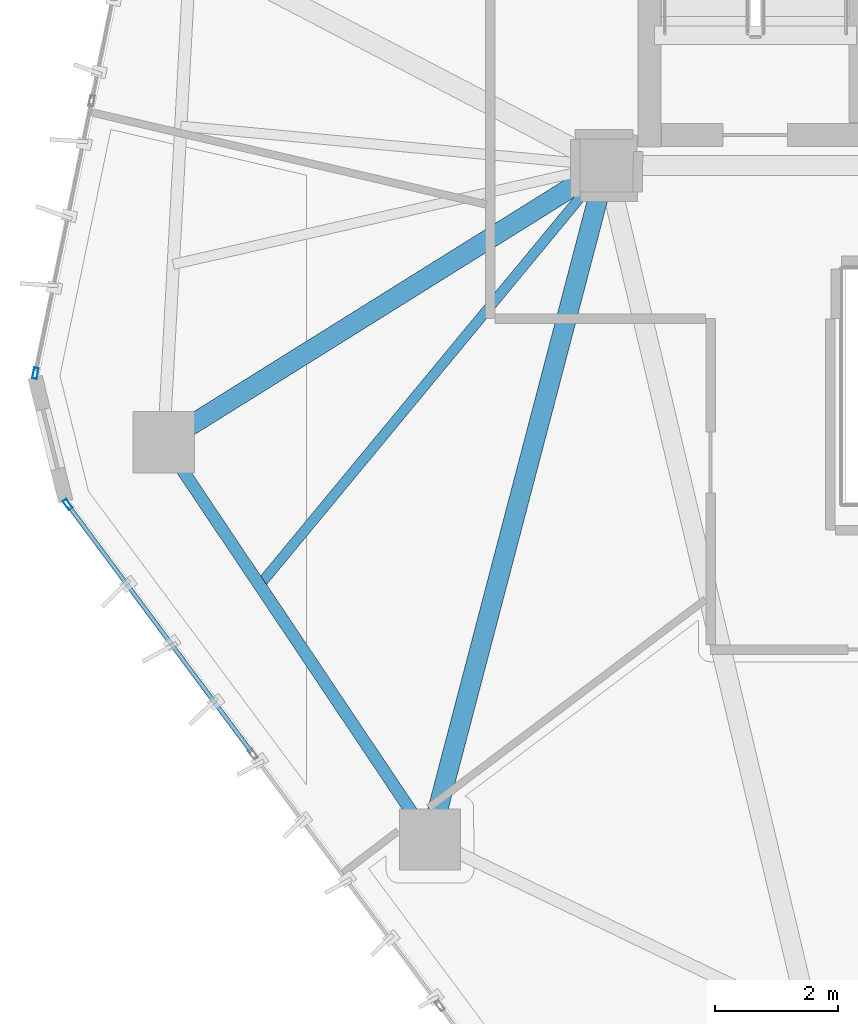
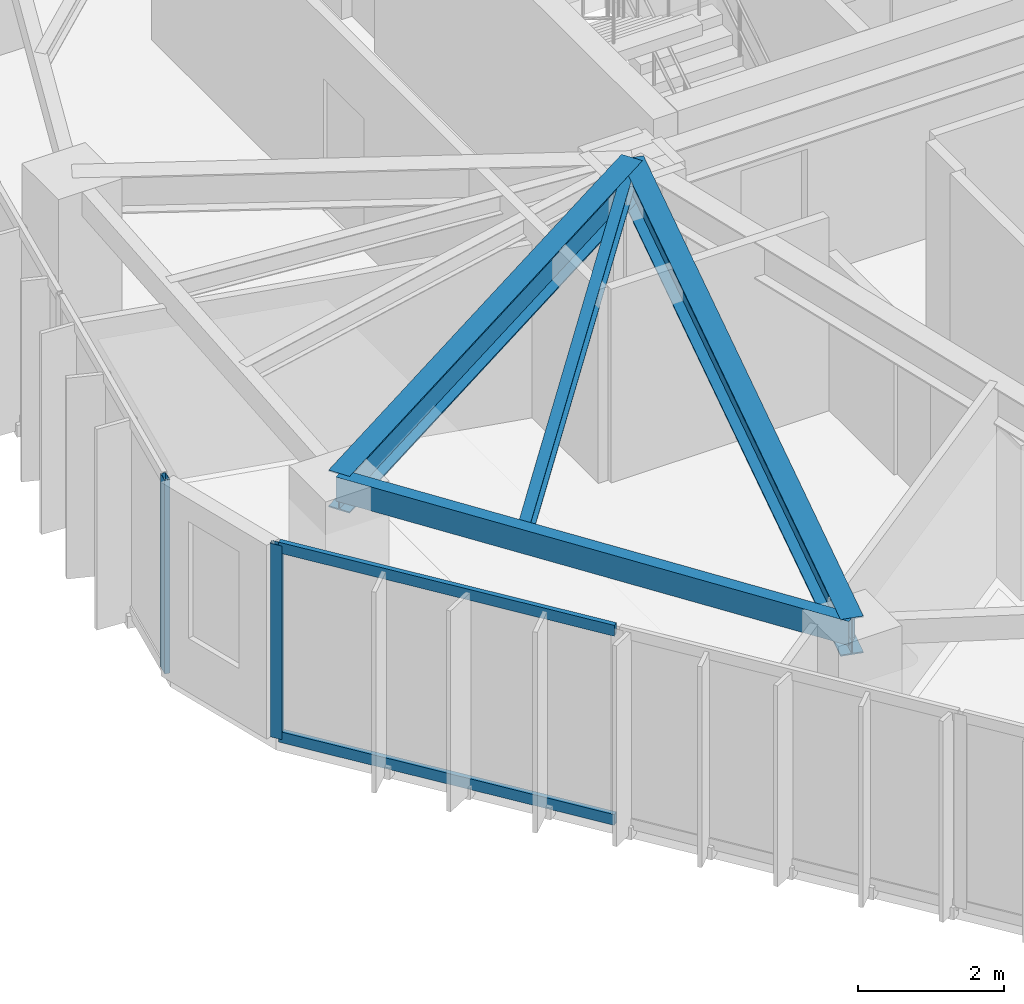
# One storey, part 3 of 20: 4 beams, 4 members, 2 elements without a shape of their own.
"""IFC4 building model written with IfcOpenShell, lengths in metres."""

from ifc_helpers import new_model, si_unit, direction, frame, origin, origin_2d, place, context, subcontext, project, spatial, hollow_rectangle, i_section, extrude, source, transform, mapped, material, layer, layer_set, material_profile, profile_set, type_object, type_shapes, element, aggregate, save


model = new_model("IFC4")

# Units and contexts
model_context = context("Model", 3, precision=1e-05, world=origin(), true_north=direction((0.0, 1.0)))
body_context = subcontext(model_context, "Body", "Model", "MODEL_VIEW")
ifc_project = project(units=[si_unit("LENGTHUNIT", "METRE"), si_unit("AREAUNIT", "SQUARE_METRE"), si_unit("VOLUMEUNIT", "CUBIC_METRE"), si_unit("PLANEANGLEUNIT", "RADIAN"), si_unit("MASSUNIT", "GRAM", prefix="KILO")], contexts=[model_context])

# Site, building, storey
site_placement = place(None, origin())
site = spatial("IfcSite", under=ifc_project, at=site_placement, CompositionType="ELEMENT")
building_placement = place(site_placement, origin())
building = spatial("IfcBuilding", under=site, at=building_placement, Name="Talar Marvaseh", CompositionType="ELEMENT")
storey_placement = place(building_placement, frame((0.0, 0.0, 191.5)))
storey = spatial("IfcBuildingStorey", under=building, at=storey_placement, Name="L50", CompositionType="ELEMENT", Elevation=191.5)

# Beams
ifc_material_1 = material(Name="Steel S355", Category="steel")
ifc_material_profile_1 = material_profile(ifc_material_1, hollow_rectangle(XDim=0.199951171875, YDim=0.39990234375, WallThickness=0.013916015625, at=origin_2d()), Name="RHS400x200x14")
ifc_profile_set_1 = profile_set([ifc_material_profile_1], Name="Steel S355")
beam_type_1 = type_object("IfcBeamType", Name="Zone 3 Perimeter Spandrel Beam RHS400x200x14", PredefinedType="SPANDREL", material=ifc_profile_set_1)
beam_1_placement = place(storey_placement, frame((15.819091796875, 14.5009765625, 3.030029296875), z_axis=(-0.556805579613, 0.830642851358, 0.0), x_axis=(-0.830642851358, -0.556805579613, 0.0)))
element("IfcBeam", 1, at=beam_1_placement, inside=storey, type_object=beam_type_1, Name="L50 Zone 3 Perimeter Spandrel Beam RHS400x200x14", PredefinedType="SPANDREL", context=body_context, shape_type="SweptSolid", body=[
    extrude(hollow_rectangle(XDim=0.199951171875, YDim=0.39990234375, WallThickness=0.013916015625, at=origin_2d()), origin(), (0.0, 0.0, 1.0), 7.807373046875),
])
ifc_material_profile_2 = material_profile(ifc_material_1, i_section(OverallWidth=0.324951171875, OverallDepth=0.615966796875, WebThickness=0.013916015625, FlangeThickness=0.021484375, at=origin_2d()), Name="W610x174")
ifc_profile_set_2 = profile_set([ifc_material_profile_2], Name="Steel S355")
beam_type_2 = type_object("IfcBeamType", Name="Zone 3 Radial Floor Girder W610x174", PredefinedType="BEAM", material=ifc_profile_set_2)
beam_2_placement = place(storey_placement, frame((15.819091796875, 14.5009765625, 2.922119140625), z_axis=(0.253372787776, 0.967368714821, 0.0), x_axis=(-0.967368714821, 0.253372787776, 0.0)))
element("IfcBeam", 2, at=beam_2_placement, inside=storey, type_object=beam_type_2, Name="L50 Zone 3 Radial Floor Girder W610x174", PredefinedType="BEAM", context=body_context, shape_type="SweptSolid", body=[
    extrude(i_section(OverallWidth=0.324951171875, OverallDepth=0.615966796875, WebThickness=0.013916015625, FlangeThickness=0.021484375, at=origin_2d()), origin(), (0.0, 0.0, 1.0), 11.3701171875),
])
beam_3_placement = place(storey_placement, frame((11.471923828125, 20.986083984375, 2.922119140625), z_axis=(0.848188171212, 0.52969503133, 0.0), x_axis=(-0.52969503133, 0.848188171212, 0.0)))
element("IfcBeam", 3, at=beam_3_placement, inside=storey, type_object=beam_type_2, Name="L50 Zone 3 Radial Floor Girder W610x174", PredefinedType="BEAM", context=body_context, shape_type="SweptSolid", body=[
    extrude(i_section(OverallWidth=0.324951171875, OverallDepth=0.615966796875, WebThickness=0.013916015625, FlangeThickness=0.021484375, at=origin_2d()), origin(), (0.0, 0.0, 1.0), 8.521728515625),
])
ifc_material_profile_3 = material_profile(ifc_material_1, i_section(OverallWidth=0.166015625, OverallDepth=0.31298828125, WebThickness=0.006591796875, FlangeThickness=0.01123046875, at=origin_2d()), Name="W310x45")
ifc_profile_set_3 = profile_set([ifc_material_profile_3], Name="Steel S355")
beam_type_3 = type_object("IfcBeamType", Name="Zone 3 Secondary Floor Joist W310x45", PredefinedType="JOIST", material=ifc_profile_set_3)
beam_4_placement = place(storey_placement, frame((13.036865234375, 18.6513671875, 3.073486328125), z_axis=(0.637250554087, 0.770656688362, 0.0), x_axis=(-0.770656688362, 0.637250554087, 0.0)))
element("IfcBeam", 4, at=beam_4_placement, inside=storey, type_object=beam_type_3, Name="L50 Zone 3 Secondary Floor Joist W310x45", PredefinedType="JOIST", context=body_context, shape_type="SweptSolid", body=[
    extrude(i_section(OverallWidth=0.166015625, OverallDepth=0.31298828125, WebThickness=0.006591796875, FlangeThickness=0.01123046875, at=origin_2d()), origin(), (0.0, 0.0, 1.0), 8.88671875),
])

# Curtain wall, member
ifc_material_2 = material(Name="Architectural Aluminium", Category="aluminium")
ifc_layer = layer(ifc_material_2, 0.18994140625)
ifc_layer_set = layer_set([ifc_layer], Name="Architectural Aluminium")
curtain_wall_type = type_object("IfcCurtainWallType", Name="Unitised Solar Atelier Curtain Wall Z3", PredefinedType="NOTDEFINED", material=ifc_layer_set)
curtain_wall_1_placement = place(storey_placement, origin())
curtain_wall_1 = element("IfcCurtainWall", 5, at=curtain_wall_1_placement, inside=storey, type_object=curtain_wall_type, Name="L50 Unitised Solar Atelier Curtain Wall Z3", PredefinedType="NOTDEFINED")
ifc_material_profile_4 = material_profile(ifc_material_2, hollow_rectangle(XDim=0.074951171875, YDim=0.179931640625, WallThickness=0.0048828125, at=origin_2d()), Name="RHS180x75x5")
ifc_profile_set_4 = profile_set([ifc_material_profile_4], Name="Architectural Aluminium")
member_type_1 = type_object("IfcMemberType", Name="Unitised Curtain Wall Standard Mullion RHS180x75x5", PredefinedType="MULLION", material=ifc_profile_set_4)
shared_shape_1 = source(origin(), body_context, "Body", "SweptSolid", [
    extrude(hollow_rectangle(XDim=0.074951171875, YDim=0.179931640625, WallThickness=0.0048828125, at=origin_2d()), origin(), (0.0, 0.0, 1.0), 3.22998046875),
])
type_shapes(member_type_1, [shared_shape_1])
member_1_placement = place(storey_placement, frame((9.9052734375, 19.968505859375, 0.0), z_axis=(0.0, 0.0, 1.0), x_axis=(-0.802855735878, -0.596173353454, 0.0)))
member_1 = element("IfcMember", 6, at=member_1_placement, type_object=member_type_1, Name="CW-Z3 mullion 4", PredefinedType="MULLION", context=body_context, shape_type="MappedRepresentation", body=[
    mapped(shared_shape_1, transform((0.0, 0.0, 0.0), x_axis=(1.0, 0.0, 0.0), y_axis=(0.0, 1.0, 0.0), z_axis=(0.0, 0.0, 1.0), scale=1.0)),
])

curtain_wall_2_placement = place(storey_placement, origin())
curtain_wall_2 = element("IfcCurtainWall", 7, at=curtain_wall_2_placement, inside=storey, type_object=curtain_wall_type, Name="L50 Unitised Solar Atelier Curtain Wall Z3", PredefinedType="NOTDEFINED")
member_2_placement = place(storey_placement, frame((9.37890625, 22.11083984375, 0.0), z_axis=(0.0, 0.0, 1.0), x_axis=(-0.979286418832, 0.202479899967, 0.0)))
member_2 = element("IfcMember", 8, at=member_2_placement, type_object=member_type_1, Name="CW-Z3 mullion 1", PredefinedType="MULLION", context=body_context, shape_type="MappedRepresentation", body=[
    mapped(shared_shape_1, transform((0.0, 0.0, 0.0), x_axis=(1.0, 0.0, 0.0), y_axis=(0.0, 1.0, 0.0), z_axis=(0.0, 0.0, 1.0), scale=1.0)),
])
aggregate(curtain_wall_2, [member_2])

# Member
ifc_material_profile_5 = material_profile(ifc_material_2, hollow_rectangle(XDim=0.074951171875, YDim=0.179931640625, WallThickness=0.0048828125, at=origin_2d()), Name="RHS180x75x5")
ifc_profile_set_5 = profile_set([ifc_material_profile_5], Name="Architectural Aluminium")
member_type_2 = type_object("IfcMemberType", Name="Unitised Curtain Wall Transom RHS180x75x5", PredefinedType="USERDEFINED", material=ifc_profile_set_5)
shared_shape_2 = source(origin(), body_context, "Body", "SweptSolid", [
    extrude(hollow_rectangle(XDim=0.074951171875, YDim=0.179931640625, WallThickness=0.0048828125, at=origin_2d()), origin(), (0.0, 0.0, 1.0), 5.000244140625),
])
type_shapes(member_type_2, [shared_shape_2])
member_3_placement = place(storey_placement, frame((12.90869140625, 15.923583984375, 0.03759765625), z_axis=(-0.596149594989, 0.80287337756, 0.0), x_axis=(-0.80287337756, -0.596149594989, 0.0)))
member_3 = element("IfcMember", 9, at=member_3_placement, type_object=member_type_2, Name="CW-Z3 transom 3.1", ObjectType="TRANSOM", PredefinedType="USERDEFINED", context=body_context, shape_type="MappedRepresentation", body=[
    mapped(shared_shape_2, transform((0.0, 0.0, 0.0), x_axis=(1.0, 0.0, 0.0), y_axis=(0.0, 1.0, 0.0), z_axis=(0.0, 0.0, 1.0), scale=1.0)),
])

member_4_placement = place(storey_placement, frame((12.90869140625, 15.923583984375, 3.1923828125), z_axis=(-0.596149594989, 0.80287337756, 0.0), x_axis=(-0.80287337756, -0.596149594989, 0.0)))
member_4 = element("IfcMember", 10, at=member_4_placement, type_object=member_type_2, Name="CW-Z3 transom 3.2", ObjectType="TRANSOM", PredefinedType="USERDEFINED", context=body_context, shape_type="MappedRepresentation", body=[
    mapped(shared_shape_2, transform((0.0, 0.0, 0.0), x_axis=(1.0, 0.0, 0.0), y_axis=(0.0, 1.0, 0.0), z_axis=(0.0, 0.0, 1.0), scale=1.0)),
])

aggregate(curtain_wall_1, [member_1, member_3, member_4])

save(model, "model.ifc")
